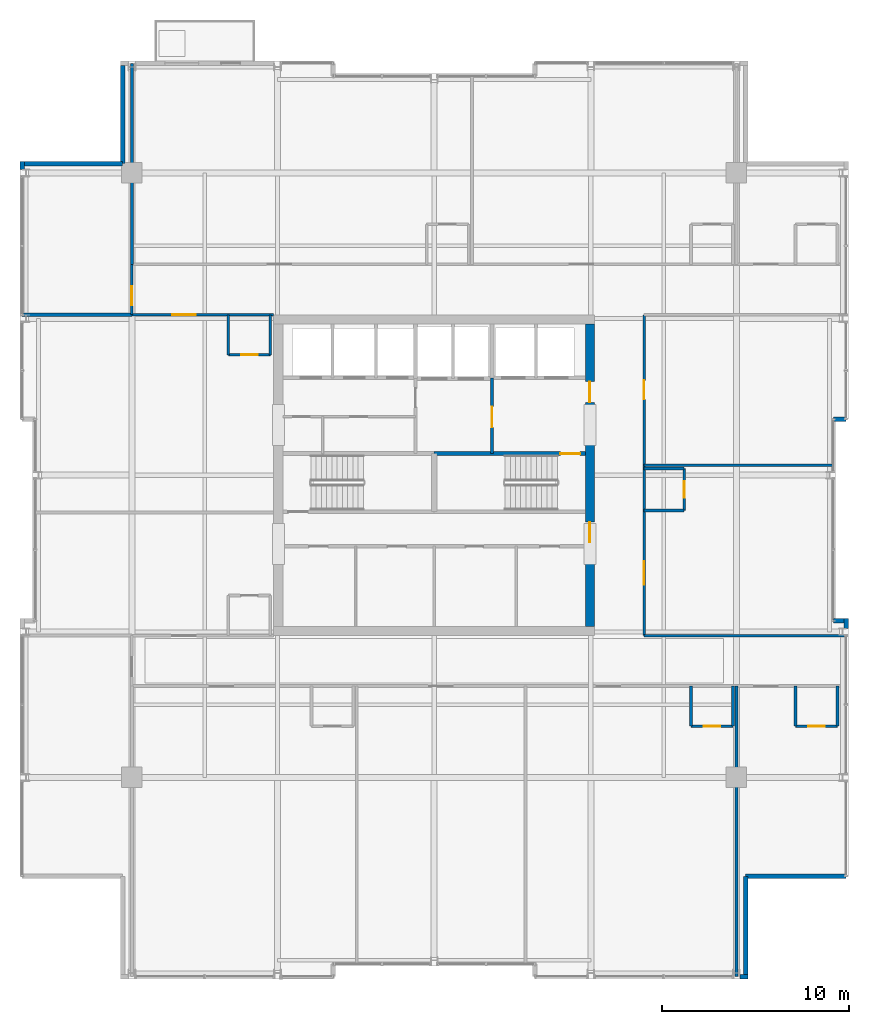
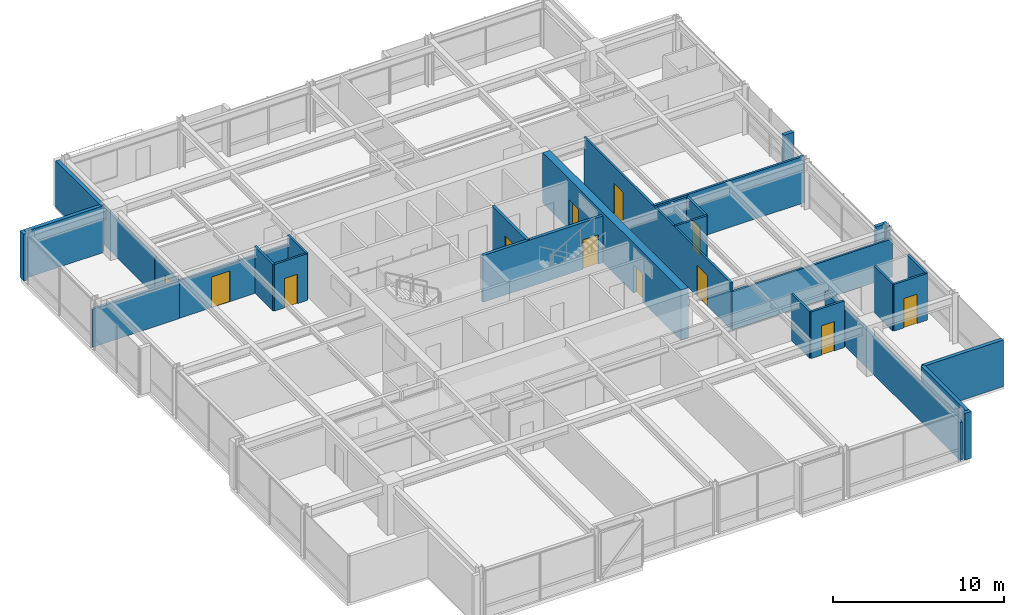
# One storey, part 27 of 32: 32 walls, 12 doors, 12 openings.
"""IFC4 building model written with IfcOpenShell, lengths in metres."""

from ifc_helpers import new_model, si_unit, direction, frame, frame_2d, origin, place, context, subcontext, project, spatial, rectangle, extrude, material, layer, layer_set, type_object, element, fill, save


model = new_model("IFC4")

# Units and contexts
model_context = context("Model", 3, precision=1e-05, world=origin(), true_north=direction((0.0, 1.0)))
body_context = subcontext(model_context, "Body", "Model", "MODEL_VIEW")
ifc_project = project(units=[si_unit("LENGTHUNIT", "METRE"), si_unit("AREAUNIT", "SQUARE_METRE"), si_unit("VOLUMEUNIT", "CUBIC_METRE"), si_unit("PLANEANGLEUNIT", "RADIAN"), si_unit("MASSUNIT", "GRAM", prefix="KILO")], contexts=[model_context])

# Site, building, storey
site_placement = place(None, origin())
site = spatial("IfcSite", under=ifc_project, at=site_placement, CompositionType="ELEMENT")
building_placement = place(site_placement, origin())
building = spatial("IfcBuilding", under=site, at=building_placement, Name="Drelvath Grand Hotel", CompositionType="ELEMENT")
storey_placement = place(building_placement, frame((0.0, 0.0, 223.10009765625)))
storey = spatial("IfcBuildingStorey", under=building, at=storey_placement, Name="L58", CompositionType="ELEMENT", Elevation=223.10009765625)

# Wall, opening, door
ifc_material_1 = material(Name="Concrete C40/50", Category="concrete")
ifc_layer_1 = layer(ifc_material_1, 0.199951171875)
ifc_layer_set_1 = layer_set([ifc_layer_1], Name="Concrete C40/50")
wall_type_1 = type_object("IfcWallType", Name="Core Shaft Fire Wall 200", PredefinedType="SOLIDWALL", material=ifc_layer_set_1)
wall_1_placement = place(storey_placement, frame((8.10009765625, 28.159912109375, 0.0), z_axis=(0.0, 0.0, 1.0), x_axis=(-1.0, 0.0, 0.0)))
wall_1 = element("IfcWall", 1, at=wall_1_placement, inside=storey, type_object=wall_type_1, Name="L58 Stair ST-2 North Wall", PredefinedType="SOLIDWALL", context=body_context, shape_type="SweptSolid", body=[
    extrude(rectangle(XDim=8.10009765625, YDim=0.199951171875, at=frame_2d((4.050048828125, 0.0))), origin(), (0.0, 0.0, 1.0), 3.33984375),
])
opening_1_placement = place(wall_1_placement, frame((0.280029296875, 0.0, 0.0)))
opening_1 = element("IfcOpeningElement", 2, at=opening_1_placement, cuts=wall_1, Name="Opening D-T4G2-002", PredefinedType="OPENING", context=body_context, shape_type="SweptSolid", body=[
    extrude(rectangle(XDim=1.050048828125, YDim=2.10009765625, at=frame_2d((0.52490234375, 1.050048828125))), frame((0.0, 0.10986328125, 0.0), z_axis=(0.0, -1.0, 0.0), x_axis=(1.0, 0.0, 0.0)), (0.0, 0.0, 1.0), 0.219970703125),
])
ifc_material_2 = material(Name="Painted Steel S275", Category="steel")
door_type_1 = type_object("IfcDoorType", Name="Tower Stairwell Fire Door 1050x2100", OperationType="NOTDEFINED", PredefinedType="DOOR", material=ifc_material_2)
door_1_placement = place(opening_1_placement, origin())
door_1 = element("IfcDoor", 3, at=door_1_placement, inside=storey, type_object=door_type_1, Name="L58 Exit Stair ST-2 Door", OperationType="SINGLE_SWING_LEFT", OverallHeight=2.10009765625, OverallWidth=1.050048828125, PredefinedType="DOOR", context=body_context, shape_type="SweptSolid", body=[
    extrude(rectangle(XDim=1.050048828125, YDim=2.10009765625, at=frame_2d((0.52490234375, 1.050048828125))), frame((0.0, 0.02490234375, 0.0), z_axis=(0.0, -1.0, 0.0), x_axis=(1.0, 0.0, 0.0)), (0.0, 0.0, 1.0), 0.050048828125),
])
fill(opening_1, door_1)

# Wall
ifc_material_3 = material(Name="Gypsum Fireboard Partition")
ifc_layer_2 = layer(ifc_material_3, 0.135009765625)
ifc_layer_set_2 = layer_set([ifc_layer_2], Name="Gypsum Fireboard Partition")
wall_type_2 = type_object("IfcWallType", Name="Corridor Fire Barrier Wall 135", PredefinedType="PARTITIONING", material=ifc_layer_set_2)
wall_2_placement = place(storey_placement, frame((11.25, 18.39990234375, 0.0), z_axis=(0.0, 0.0, 1.0), x_axis=(1.0, 0.0, 0.0)))
element("IfcWall", 4, at=wall_2_placement, inside=storey, type_object=wall_type_2, Name="L58 South Gallery Inner East Wall", PredefinedType="PARTITIONING", context=body_context, shape_type="SweptSolid", body=[
    extrude(rectangle(XDim=10.830078125, YDim=0.135009765625, at=frame_2d((5.4150390625, 0.0))), origin(), (0.0, 0.0, 1.0), 2.71728515625),
])

# Wall, opening, door
wall_3_placement = place(storey_placement, frame((-16.199951171875, 35.60009765625, 0.0), z_axis=(0.0, 0.0, 1.0), x_axis=(1.0, 0.0, 0.0)))
wall_3 = element("IfcWall", 5, at=wall_3_placement, inside=storey, type_object=wall_type_2, Name="L58 North Gallery Inner West Wall", PredefinedType="PARTITIONING", context=body_context, shape_type="SweptSolid", body=[
    extrude(rectangle(XDim=7.599853515625, YDim=0.135009765625, at=frame_2d((3.7998046875, 0.0))), origin(), (0.0, 0.0, 1.0), 2.71728515625),
])
opening_2_placement = place(wall_3_placement, frame((2.155029296875, 0.0, 0.0)))
opening_2 = element("IfcOpeningElement", 6, at=opening_2_placement, cuts=wall_3, Name="Opening D-T4G2-041", PredefinedType="OPENING", context=body_context, shape_type="SweptSolid", body=[
    extrude(rectangle(XDim=1.260009765625, YDim=2.199951171875, at=frame_2d((0.6298828125, 1.10009765625))), frame((0.0, 0.077392578125, 0.0), z_axis=(0.0, -1.0, 0.0), x_axis=(1.0, 0.0, 0.0)), (0.0, 0.0, 1.0), 0.155029296875),
])
ifc_material_4 = material(Name="Hardwood Walnut Timber", Category="wood")
door_type_2 = type_object("IfcDoorType", Name="Suite Entrance Fire Door 1260x2200", OperationType="NOTDEFINED", PredefinedType="DOOR", material=ifc_material_4)
door_2_placement = place(opening_2_placement, origin())
door_2 = element("IfcDoor", 7, at=door_2_placement, inside=storey, type_object=door_type_2, Name="L58 Diplomatic Suite Entry Door", OperationType="SINGLE_SWING_RIGHT", OverallHeight=2.199951171875, OverallWidth=1.260009765625, PredefinedType="DOOR", context=body_context, shape_type="SweptSolid", body=[
    extrude(rectangle(XDim=1.260009765625, YDim=2.199951171875, at=frame_2d((0.6298828125, 1.10009765625))), frame((0.0, 0.02490234375, 0.0), z_axis=(0.0, -1.0, 0.0), x_axis=(1.0, 0.0, 0.0)), (0.0, 0.0, 1.0), 0.050048828125),
])
fill(opening_2, door_2)

# Wall, openings, doors
wall_4_placement = place(storey_placement, frame((11.25, 18.39990234375, 0.0), z_axis=(0.0, 0.0, 1.0), x_axis=(0.0, 1.0, 0.0)))
wall_4 = element("IfcWall", 8, at=wall_4_placement, inside=storey, type_object=wall_type_2, Name="L58 East Gallery Link Wall", PredefinedType="PARTITIONING", context=body_context, shape_type="SweptSolid", body=[
    extrude(rectangle(XDim=17.2001953125, YDim=0.135009765625, at=frame_2d((8.60009765625, 0.0))), origin(), (0.0, 0.0, 1.0), 3.33984375),
])
opening_3_placement = place(wall_4_placement, frame((2.723876953125, 0.0, 0.0)))
opening_3 = element("IfcOpeningElement", 9, at=opening_3_placement, cuts=wall_4, Name="Opening D-T4G2-036", PredefinedType="OPENING", context=body_context, shape_type="SweptSolid", body=[
    extrude(rectangle(XDim=1.260009765625, YDim=2.199951171875, at=frame_2d((0.6298828125, 1.10009765625))), frame((0.0, 0.077392578125, 0.0), z_axis=(0.0, -1.0, 0.0), x_axis=(1.0, 0.0, 0.0)), (0.0, 0.0, 1.0), 0.155029296875),
])
opening_4_placement = place(wall_4_placement, frame((12.65869140625, 0.0, 0.0)))
opening_4 = element("IfcOpeningElement", 10, at=opening_4_placement, cuts=wall_4, Name="Opening D-T4G2-037", PredefinedType="OPENING", context=body_context, shape_type="SweptSolid", body=[
    extrude(rectangle(XDim=1.02001953125, YDim=2.14990234375, at=frame_2d((0.510009765625, 1.074951171875))), frame((0.0, 0.077392578125, 0.0), z_axis=(0.0, -1.0, 0.0), x_axis=(1.0, 0.0, 0.0)), (0.0, 0.0, 1.0), 0.155029296875),
])
door_type_3 = type_object("IfcDoorType", Name="Amenity Meeting Fire Door 1020x2150", OperationType="NOTDEFINED", PredefinedType="DOOR", material=ifc_material_4)
door_3_placement = place(opening_4_placement, origin())
door_3 = element("IfcDoor", 11, at=door_3_placement, inside=storey, type_object=door_type_3, Name="L58 Protocol Administration Office Entry Door", OperationType="SINGLE_SWING_RIGHT", OverallHeight=2.14990234375, OverallWidth=1.02001953125, PredefinedType="DOOR", context=body_context, shape_type="SweptSolid", body=[
    extrude(rectangle(XDim=1.02001953125, YDim=2.14990234375, at=frame_2d((0.510009765625, 1.074951171875))), frame((0.0, 0.02490234375, 0.0), z_axis=(0.0, -1.0, 0.0), x_axis=(1.0, 0.0, 0.0)), (0.0, 0.0, 1.0), 0.050048828125),
])
fill(opening_4, door_3)
door_4_placement = place(opening_3_placement, origin())
door_4 = element("IfcDoor", 12, at=door_4_placement, inside=storey, type_object=door_type_2, Name="L58 Diplomatic Suite Entry Door", OperationType="SINGLE_SWING_LEFT", OverallHeight=2.199951171875, OverallWidth=1.260009765625, PredefinedType="DOOR", context=body_context, shape_type="SweptSolid", body=[
    extrude(rectangle(XDim=1.260009765625, YDim=2.199951171875, at=frame_2d((0.6298828125, 1.10009765625))), frame((0.0, 0.02490234375, 0.0), z_axis=(0.0, -1.0, 0.0), x_axis=(1.0, 0.0, 0.0)), (0.0, 0.0, 1.0), 0.050048828125),
])
fill(opening_3, door_4)

# Wall, opening, door
wall_5_placement = place(storey_placement, frame((-16.199951171875, 35.60009765625, 0.0), z_axis=(0.0, 0.0, 1.0), x_axis=(0.0, 1.0, 0.0)))
wall_5 = element("IfcWall", 13, at=wall_5_placement, inside=storey, type_object=wall_type_2, Name="L58 North Gallery West End", PredefinedType="PARTITIONING", context=body_context, shape_type="SweptSolid", body=[
    extrude(rectangle(XDim=2.699951171875, YDim=0.135009765625, at=frame_2d((1.35009765625, 0.0))), origin(), (0.0, 0.0, 1.0), 2.713623046875),
])
opening_5_placement = place(wall_5_placement, frame((0.52001953125, 0.0, 0.0)))
opening_5 = element("IfcOpeningElement", 14, at=opening_5_placement, cuts=wall_5, Name="Opening D-T4G2-021", PredefinedType="OPENING", context=body_context, shape_type="SweptSolid", body=[
    extrude(rectangle(XDim=1.02001953125, YDim=2.14990234375, at=frame_2d((0.510009765625, 1.074951171875))), frame((0.0, 0.077392578125, 0.0), z_axis=(0.0, -1.0, 0.0), x_axis=(1.0, 0.0, 0.0)), (0.0, 0.0, 1.0), 0.155029296875),
])
door_5_placement = place(opening_5_placement, origin())
door_5 = element("IfcDoor", 15, at=door_5_placement, inside=storey, type_object=door_type_3, Name="L58 Corner Panorama Lounge Door", OperationType="SINGLE_SWING_RIGHT", OverallHeight=2.14990234375, OverallWidth=1.02001953125, PredefinedType="DOOR", context=body_context, shape_type="SweptSolid", body=[
    extrude(rectangle(XDim=1.02001953125, YDim=2.14990234375, at=frame_2d((0.510009765625, 1.074951171875))), frame((0.0, 0.02490234375, 0.0), z_axis=(0.0, -1.0, 0.0), x_axis=(1.0, 0.0, 0.0)), (0.0, 0.0, 1.0), 0.050048828125),
])
fill(opening_5, door_5)

# Walls
ifc_material_5 = material(Name="Moisture-Resistant Gypsum Board")
ifc_layer_3 = layer(ifc_material_5, 0.139892578125)
ifc_layer_set_3 = layer_set([ifc_layer_3], Name="Moisture-Resistant Gypsum Board")
wall_type_3 = type_object("IfcWallType", Name="En-Suite Plumbing Wall 140", PredefinedType="PLUMBINGWALL", material=ifc_layer_set_3)
for number, where, z_axis, x_axis, name in (
    (16, (19.3701171875, 15.699951171875, 0.0), (0.0, 0.0, 1.0), (0.0, -1.0, 0.0), "L58 En-Suite Left Wall"),
    (17, (21.6201171875, 15.699951171875, 0.0), (0.0, 0.0, 1.0), (0.0, -1.0, 0.0), "L58 En-Suite Right Wall"),
):
    element("IfcWall", number, at=place(storey_placement, frame(where, z_axis=z_axis, x_axis=x_axis)), inside=storey, type_object=wall_type_3, Name=name, PredefinedType="PLUMBINGWALL", context=body_context, shape_type="SweptSolid", body=[
        extrude(rectangle(XDim=2.14990234375, YDim=0.139892578125, at=frame_2d((1.074951171875, 0.0))), origin(), (0.0, 0.0, 1.0), 3.33984375),
    ])

# Wall, opening, door
wall_6_placement = place(storey_placement, frame((19.3701171875, 13.550048828125, 0.0), z_axis=(0.0, 0.0, 1.0), x_axis=(1.0, 0.0, 0.0)))
wall_6 = element("IfcWall", 18, at=wall_6_placement, inside=storey, type_object=wall_type_3, Name="L58 En-Suite Front Wall", PredefinedType="PLUMBINGWALL", context=body_context, shape_type="SweptSolid", body=[
    extrude(rectangle(XDim=2.25, YDim=0.139892578125, at=frame_2d((1.125, 0.0))), origin(), (0.0, 0.0, 1.0), 3.33984375),
])
opening_6_placement = place(wall_6_placement, frame((0.68505859375, 0.0, 0.0)))
opening_6 = element("IfcOpeningElement", 19, at=opening_6_placement, cuts=wall_6, Name="Opening D-T4G2-022", PredefinedType="OPENING", context=body_context, shape_type="SweptSolid", body=[
    extrude(rectangle(XDim=0.8798828125, YDim=2.10009765625, at=frame_2d((0.43994140625, 1.050048828125))), frame((0.0, 0.079833984375, 0.0), z_axis=(0.0, -1.0, 0.0), x_axis=(1.0, 0.0, 0.0)), (0.0, 0.0, 1.0), 0.159912109375),
])
door_type_4 = type_object("IfcDoorType", Name="En-Suite Bathroom Door 880x2100", OperationType="NOTDEFINED", PredefinedType="DOOR", material=ifc_material_4)
door_6_placement = place(opening_6_placement, origin())
door_6 = element("IfcDoor", 20, at=door_6_placement, inside=storey, type_object=door_type_4, Name="L58 En-Suite Bathroom Door", OperationType="SINGLE_SWING_LEFT", OverallHeight=2.10009765625, OverallWidth=0.8798828125, PredefinedType="DOOR", context=body_context, shape_type="SweptSolid", body=[
    extrude(rectangle(XDim=0.8798828125, YDim=2.10009765625, at=frame_2d((0.43994140625, 1.050048828125))), frame((0.0, 0.02490234375, 0.0), z_axis=(0.0, -1.0, 0.0), x_axis=(1.0, 0.0, 0.0)), (0.0, 0.0, 1.0), 0.050048828125),
])
fill(opening_6, door_6)

# Walls
wall_7_placement = place(storey_placement, frame((13.77001953125, 15.699951171875, 0.0), z_axis=(0.0, 0.0, 1.0), x_axis=(0.0, -1.0, 0.0)))
element("IfcWall", 21, at=wall_7_placement, inside=storey, type_object=wall_type_3, Name="L58 En-Suite Left Wall", PredefinedType="PLUMBINGWALL", context=body_context, shape_type="SweptSolid", body=[
    extrude(rectangle(XDim=2.14990234375, YDim=0.139892578125, at=frame_2d((1.074951171875, 0.0))), origin(), (0.0, 0.0, 1.0), 3.33984375),
])
wall_8_placement = place(storey_placement, frame((16.02001953125, 15.699951171875, 0.0), z_axis=(0.0, 0.0, 1.0), x_axis=(0.0, -1.0, 0.0)))
element("IfcWall", 22, at=wall_8_placement, inside=storey, type_object=wall_type_3, Name="L58 En-Suite Right Wall", PredefinedType="PLUMBINGWALL", context=body_context, shape_type="SweptSolid", body=[
    extrude(rectangle(XDim=2.14990234375, YDim=0.139892578125, at=frame_2d((1.074951171875, 0.0))), origin(), (0.0, 0.0, 1.0), 2.713623046875),
])

# Wall, opening, door
wall_9_placement = place(storey_placement, frame((13.77001953125, 13.550048828125, 0.0), z_axis=(0.0, 0.0, 1.0), x_axis=(1.0, 0.0, 0.0)))
wall_9 = element("IfcWall", 23, at=wall_9_placement, inside=storey, type_object=wall_type_3, Name="L58 En-Suite Front Wall", PredefinedType="PLUMBINGWALL", context=body_context, shape_type="SweptSolid", body=[
    extrude(rectangle(XDim=2.25, YDim=0.139892578125, at=frame_2d((1.125, 0.0))), origin(), (0.0, 0.0, 1.0), 3.33984375),
])
opening_7_placement = place(wall_9_placement, frame((0.68505859375, 0.0, 0.0)))
opening_7 = element("IfcOpeningElement", 24, at=opening_7_placement, cuts=wall_9, Name="Opening D-T4G2-029", PredefinedType="OPENING", context=body_context, shape_type="SweptSolid", body=[
    extrude(rectangle(XDim=0.8798828125, YDim=2.10009765625, at=frame_2d((0.43994140625, 1.050048828125))), frame((0.0, 0.079833984375, 0.0), z_axis=(0.0, -1.0, 0.0), x_axis=(1.0, 0.0, 0.0)), (0.0, 0.0, 1.0), 0.159912109375),
])
door_7_placement = place(opening_7_placement, origin())
door_7 = element("IfcDoor", 25, at=door_7_placement, inside=storey, type_object=door_type_4, Name="L58 En-Suite Bathroom Door", OperationType="SINGLE_SWING_RIGHT", OverallHeight=2.10009765625, OverallWidth=0.8798828125, PredefinedType="DOOR", context=body_context, shape_type="SweptSolid", body=[
    extrude(rectangle(XDim=0.8798828125, YDim=2.10009765625, at=frame_2d((0.43994140625, 1.050048828125))), frame((0.0, 0.02490234375, 0.0), z_axis=(0.0, -1.0, 0.0), x_axis=(1.0, 0.0, 0.0)), (0.0, 0.0, 1.0), 0.050048828125),
])
fill(opening_7, door_7)

# Walls
for number, where, z_axis, x_axis, name in (
    (26, (11.25, 25.107421875, 0.0), (0.0, 0.0, 1.0), (1.0, 0.0, 0.0), "L58 En-Suite Left Wall"),
    (27, (11.25, 27.357421875, 0.0), (0.0, 0.0, 1.0), (1.0, 0.0, 0.0), "L58 En-Suite Right Wall"),
):
    element("IfcWall", number, at=place(storey_placement, frame(where, z_axis=z_axis, x_axis=x_axis)), inside=storey, type_object=wall_type_3, Name=name, PredefinedType="PLUMBINGWALL", context=body_context, shape_type="SweptSolid", body=[
        extrude(rectangle(XDim=2.14990234375, YDim=0.139892578125, at=frame_2d((1.074951171875, 0.0))), origin(), (0.0, 0.0, 1.0), 3.33984375),
    ])

# Wall, opening, door
wall_10_placement = place(storey_placement, frame((13.39990234375, 25.107421875, 0.0), z_axis=(0.0, 0.0, 1.0), x_axis=(0.0, 1.0, 0.0)))
wall_10 = element("IfcWall", 28, at=wall_10_placement, inside=storey, type_object=wall_type_3, Name="L58 En-Suite Front Wall", PredefinedType="PLUMBINGWALL", context=body_context, shape_type="SweptSolid", body=[
    extrude(rectangle(XDim=2.25, YDim=0.139892578125, at=frame_2d((1.125, 0.0))), origin(), (0.0, 0.0, 1.0), 3.33984375),
])
opening_8_placement = place(wall_10_placement, frame((0.68505859375, 0.0, 0.0)))
opening_8 = element("IfcOpeningElement", 29, at=opening_8_placement, cuts=wall_10, Name="Opening D-T4G2-035", PredefinedType="OPENING", context=body_context, shape_type="SweptSolid", body=[
    extrude(rectangle(XDim=0.8798828125, YDim=2.10009765625, at=frame_2d((0.43994140625, 1.050048828125))), frame((0.0, 0.079833984375, 0.0), z_axis=(0.0, -1.0, 0.0), x_axis=(1.0, 0.0, 0.0)), (0.0, 0.0, 1.0), 0.159912109375),
])
door_8_placement = place(opening_8_placement, origin())
door_8 = element("IfcDoor", 30, at=door_8_placement, inside=storey, type_object=door_type_4, Name="L58 En-Suite Bathroom Door", OperationType="SINGLE_SWING_RIGHT", OverallHeight=2.10009765625, OverallWidth=0.8798828125, PredefinedType="DOOR", context=body_context, shape_type="SweptSolid", body=[
    extrude(rectangle(XDim=0.8798828125, YDim=2.10009765625, at=frame_2d((0.43994140625, 1.050048828125))), frame((0.0, 0.02490234375, 0.0), z_axis=(0.0, -1.0, 0.0), x_axis=(1.0, 0.0, 0.0)), (0.0, 0.0, 1.0), 0.050048828125),
])
fill(opening_8, door_8)

# Walls
for number, where, z_axis, x_axis, name in (
    (31, (-11.030029296875, 35.60009765625, 0.0), (0.0, 0.0, 1.0), (0.0, -1.0, 0.0), "L58 En-Suite Left Wall"),
    (32, (-8.780029296875, 35.60009765625, 0.0), (0.0, 0.0, 1.0), (0.0, -1.0, 0.0), "L58 En-Suite Right Wall"),
):
    element("IfcWall", number, at=place(storey_placement, frame(where, z_axis=z_axis, x_axis=x_axis)), inside=storey, type_object=wall_type_3, Name=name, PredefinedType="PLUMBINGWALL", context=body_context, shape_type="SweptSolid", body=[
        extrude(rectangle(XDim=2.150146484375, YDim=0.139892578125, at=frame_2d((1.0751953125, 0.0))), origin(), (0.0, 0.0, 1.0), 3.33984375),
    ])

# Wall, opening, door
wall_11_placement = place(storey_placement, frame((-11.030029296875, 33.449951171875, 0.0), z_axis=(0.0, 0.0, 1.0), x_axis=(1.0, 0.0, 0.0)))
wall_11 = element("IfcWall", 33, at=wall_11_placement, inside=storey, type_object=wall_type_3, Name="L58 En-Suite Front Wall", PredefinedType="PLUMBINGWALL", context=body_context, shape_type="SweptSolid", body=[
    extrude(rectangle(XDim=2.25, YDim=0.139892578125, at=frame_2d((1.125, 0.0))), origin(), (0.0, 0.0, 1.0), 3.33984375),
])
opening_9_placement = place(wall_11_placement, frame((0.68505859375, 0.0, 0.0)))
opening_9 = element("IfcOpeningElement", 34, at=opening_9_placement, cuts=wall_11, Name="Opening D-T4G2-040", PredefinedType="OPENING", context=body_context, shape_type="SweptSolid", body=[
    extrude(rectangle(XDim=0.8798828125, YDim=2.10009765625, at=frame_2d((0.43994140625, 1.050048828125))), frame((0.0, 0.079833984375, 0.0), z_axis=(0.0, -1.0, 0.0), x_axis=(1.0, 0.0, 0.0)), (0.0, 0.0, 1.0), 0.159912109375),
])
door_9_placement = place(opening_9_placement, origin())
door_9 = element("IfcDoor", 35, at=door_9_placement, inside=storey, type_object=door_type_4, Name="L58 En-Suite Bathroom Door", OperationType="SINGLE_SWING_LEFT", OverallHeight=2.10009765625, OverallWidth=0.8798828125, PredefinedType="DOOR", context=body_context, shape_type="SweptSolid", body=[
    extrude(rectangle(XDim=0.8798828125, YDim=2.10009765625, at=frame_2d((0.43994140625, 1.050048828125))), frame((0.0, 0.02490234375, 0.0), z_axis=(0.0, -1.0, 0.0), x_axis=(1.0, 0.0, 0.0)), (0.0, 0.0, 1.0), 0.050048828125),
])
fill(opening_9, door_9)

ifc_layer_4 = layer(ifc_material_3, 0.179931640625)
ifc_layer_set_4 = layer_set([ifc_layer_4], Name="Gypsum Fireboard Partition")
wall_type_4 = type_object("IfcWallType", Name="FSAE Smoke Lobby Fire Wall 180", PredefinedType="SOLIDWALL", material=ifc_layer_set_4)
wall_12_placement = place(storey_placement, frame((3.10009765625, 28.159912109375, 0.0), z_axis=(0.0, 0.0, 1.0), x_axis=(0.0, 1.0, 0.0)))
wall_12 = element("IfcWall", 36, at=wall_12_placement, inside=storey, type_object=wall_type_4, Name="L58 FSAE Smoke Lobby West Wall", PredefinedType="SOLIDWALL", context=body_context, shape_type="SweptSolid", body=[
    extrude(rectangle(XDim=4.06005859375, YDim=0.179931640625, at=frame_2d((2.030029296875, 0.0))), origin(), (0.0, 0.0, 1.0), 3.33984375),
])
opening_10_placement = place(wall_12_placement, frame((1.39990234375, 0.0, 0.0)))
opening_10 = element("IfcOpeningElement", 37, at=opening_10_placement, cuts=wall_12, Name="Opening D-T4G2-005", PredefinedType="OPENING", context=body_context, shape_type="SweptSolid", body=[
    extrude(rectangle(XDim=1.1201171875, YDim=2.10009765625, at=frame_2d((0.56005859375, 1.050048828125))), frame((0.0, 0.099853515625, 0.0), z_axis=(0.0, -1.0, 0.0), x_axis=(1.0, 0.0, 0.0)), (0.0, 0.0, 1.0), 0.199951171875),
])
door_type_5 = type_object("IfcDoorType", Name="FSAE Smoke Lobby Fire Door 1120x2100", OperationType="NOTDEFINED", PredefinedType="DOOR", material=ifc_material_2)
door_10_placement = place(opening_10_placement, origin())
door_10 = element("IfcDoor", 38, at=door_10_placement, inside=storey, type_object=door_type_5, Name="L58 FSAE Lobby Service Vestibule Door", OperationType="SINGLE_SWING_RIGHT", OverallHeight=2.10009765625, OverallWidth=1.1201171875, PredefinedType="DOOR", context=body_context, shape_type="SweptSolid", body=[
    extrude(rectangle(XDim=1.1201171875, YDim=2.10009765625, at=frame_2d((0.56005859375, 1.050048828125))), frame((0.0, 0.02490234375, 0.0), z_axis=(0.0, -1.0, 0.0), x_axis=(1.0, 0.0, 0.0)), (0.0, 0.0, 1.0), 0.050048828125),
])
fill(opening_10, door_10)

# Walls
ifc_material_6 = material(Name="Gypsum Acoustic Partition")
ifc_layer_5 = layer(ifc_material_6, 0.14990234375)
ifc_layer_set_5 = layer_set([ifc_layer_5], Name="Gypsum Acoustic Partition")
wall_type_5 = type_object("IfcWallType", Name="Guestroom Demising Wall 150", PredefinedType="PARTITIONING", material=ifc_layer_set_5)
wall_13_placement = place(storey_placement, frame((11.25, 27.53759765625, 0.0), z_axis=(0.0, 0.0, 1.0), x_axis=(1.0, 0.0, 0.0)))
element("IfcWall", 39, at=wall_13_placement, inside=storey, type_object=wall_type_5, Name="L58 East Demising 1", PredefinedType="PARTITIONING", context=body_context, shape_type="SweptSolid", body=[
    extrude(rectangle(XDim=10.14990234375, YDim=0.14990234375, at=frame_2d((5.074951171875, 0.0))), origin(), (0.0, 0.0, 1.0), 3.33984375),
])
ifc_layer_6 = layer(ifc_material_6, 0.1650390625)
ifc_layer_set_6 = layer_set([ifc_layer_6], Name="Gypsum Acoustic Partition")
wall_type_6 = type_object("IfcWallType", Name="Suite Demising Wall 165", PredefinedType="PARTITIONING", material=ifc_layer_set_6)
wall_14_placement = place(storey_placement, frame((16.199951171875, 0.1201171875, 0.0), z_axis=(0.0, 0.0, 1.0), x_axis=(0.0, 1.0, 0.0)))
element("IfcWall", 40, at=wall_14_placement, inside=storey, type_object=wall_type_6, Name="L58 SE Suite Wall", PredefinedType="PARTITIONING", context=body_context, shape_type="SweptSolid", body=[
    extrude(rectangle(XDim=15.579833984375, YDim=0.1650390625, at=frame_2d((7.7900390625, 0.0))), origin(), (0.0, 0.0, 1.0), 2.713623046875),
])
wall_15_placement = place(storey_placement, frame((-16.199951171875, 38.300048828125, 0.0), z_axis=(0.0, 0.0, 1.0), x_axis=(0.0, 1.0, 0.0)))
element("IfcWall", 41, at=wall_15_placement, inside=storey, type_object=wall_type_6, Name="L58 NW Suite Wall", PredefinedType="PARTITIONING", context=body_context, shape_type="SweptSolid", body=[
    extrude(rectangle(XDim=10.780029296875, YDim=0.1650390625, at=frame_2d((5.39013671875, 0.0))), origin(), (0.0, 0.0, 1.0), 2.713623046875),
])
wall_16_placement = place(storey_placement, frame((-22.080078125, 35.60009765625, 0.0), z_axis=(0.0, 0.0, 1.0), x_axis=(1.0, 0.0, 0.0)))
element("IfcWall", 42, at=wall_16_placement, inside=storey, type_object=wall_type_6, Name="L58 NW Corner South Wall", PredefinedType="PARTITIONING", context=body_context, shape_type="SweptSolid", body=[
    extrude(rectangle(XDim=5.880126953125, YDim=0.1650390625, at=frame_2d((2.93994140625, 0.0))), origin(), (0.0, 0.0, 1.0), 2.713623046875),
])
ifc_material_7 = material(Name="Pale-Metal Insulated Aluminium Spandrel Assembly", Category="aluminium")
ifc_layer_7 = layer(ifc_material_7, 0.239990234375)
ifc_layer_set_7 = layer_set([ifc_layer_7], Name="Pale-Metal Insulated Aluminium Spandrel Assembly")
wall_type_7 = type_object("IfcWallType", Name="Tower Insulated Metal Spandrel Closure Wall 240", PredefinedType="STANDARD", material=ifc_layer_set_7)
wall_17_placement = place(storey_placement, frame((-22.080078125, 43.38525390625, 0.0), z_axis=(0.0, 0.0, 1.0), x_axis=(0.0, 1.0, 0.0)))
element("IfcWall", 43, at=wall_17_placement, inside=storey, type_object=wall_type_7, Name="L58 Corner Pier Spandrel Wall WN3", PredefinedType="STANDARD", context=body_context, shape_type="SweptSolid", body=[
    extrude(rectangle(XDim=0.434814453125, YDim=0.239990234375, at=frame_2d((0.21728515625, 0.0))), origin(), (0.0, 0.0, 1.0), 3.33984375),
])
wall_18_placement = place(storey_placement, frame((22.080078125, 19.320068359375, 0.0), z_axis=(0.0, 0.0, 1.0), x_axis=(0.0, -1.0, 0.0)))
element("IfcWall", 44, at=wall_18_placement, inside=storey, type_object=wall_type_7, Name="L58 Corner Pier Spandrel Wall ES3", PredefinedType="STANDARD", context=body_context, shape_type="SweptSolid", body=[
    extrude(rectangle(XDim=0.53466796875, YDim=0.239990234375, at=frame_2d((0.267333984375, 0.0))), origin(), (0.0, 0.0, 1.0), 3.33984375),
])
wall_19_placement = place(storey_placement, frame((16.820068359375, 0.1201171875, 0.0), z_axis=(0.0, 0.0, 1.0), x_axis=(-1.0, 0.0, 0.0)))
element("IfcWall", 45, at=wall_19_placement, inside=storey, type_object=wall_type_7, Name="L58 Corner Pier Spandrel Wall SE3", PredefinedType="STANDARD", context=body_context, shape_type="SweptSolid", body=[
    extrude(rectangle(XDim=0.434814453125, YDim=0.239990234375, at=frame_2d((0.21728515625, 0.0))), origin(), (0.0, 0.0, 1.0), 3.33984375),
])
for number, where, z_axis, x_axis, name in (
    (46, (-21.9599609375, 43.699951171875, 0.0), (0.0, 0.0, 1.0), (1.0, 0.0, 0.0), "L58 Notched Corner Return Spandrel Wall CNW1"),
    (47, (-16.699951171875, 43.699951171875, 0.0), (0.0, 0.0, 1.0), (0.0, 1.0, 0.0), "L58 Notched Corner Return Spandrel Wall CNW2"),
):
    element("IfcWall", number, at=place(storey_placement, frame(where, z_axis=z_axis, x_axis=x_axis)), inside=storey, type_object=wall_type_7, Name=name, PredefinedType="STANDARD", context=body_context, shape_type="SweptSolid", body=[
        extrude(rectangle(XDim=5.260009765625, YDim=0.239990234375, at=frame_2d((2.6298828125, 0.0))), origin(), (0.0, 0.0, 1.0), 3.33984375),
    ])
wall_20_placement = place(storey_placement, frame((22.080078125, 5.5, 0.0), z_axis=(0.0, 0.0, 1.0), x_axis=(-1.0, 0.0, 0.0)))
element("IfcWall", 48, at=wall_20_placement, inside=storey, type_object=wall_type_7, Name="L58 Notched Corner Return Spandrel Wall CSE1", PredefinedType="STANDARD", context=body_context, shape_type="SweptSolid", body=[
    extrude(rectangle(XDim=5.380126953125, YDim=0.239990234375, at=frame_2d((2.68994140625, 0.0))), origin(), (0.0, 0.0, 1.0), 3.33984375),
])
wall_21_placement = place(storey_placement, frame((16.699951171875, 5.5, 0.0), z_axis=(0.0, 0.0, 1.0), x_axis=(0.0, -1.0, 0.0)))
element("IfcWall", 49, at=wall_21_placement, inside=storey, type_object=wall_type_7, Name="L58 Notched Corner Return Spandrel Wall CSE2", PredefinedType="STANDARD", context=body_context, shape_type="SweptSolid", body=[
    extrude(rectangle(XDim=5.260009765625, YDim=0.239990234375, at=frame_2d((2.6298828125, 0.0))), origin(), (0.0, 0.0, 1.0), 3.33984375),
])
wall_22_placement = place(storey_placement, frame((22.080078125, 30.0, 0.0), z_axis=(0.0, 0.0, 1.0), x_axis=(-1.0, 0.0, 0.0)))
element("IfcWall", 50, at=wall_22_placement, inside=storey, type_object=wall_type_7, Name="L58 Notched Corner Return Spandrel Wall RE1", PredefinedType="STANDARD", context=body_context, shape_type="SweptSolid", body=[
    extrude(rectangle(XDim=0.68017578125, YDim=0.239990234375, at=frame_2d((0.340087890625, 0.0))), origin(), (0.0, 0.0, 1.0), 3.33984375),
])
wall_23_placement = place(storey_placement, frame((21.39990234375, 19.199951171875, 0.0), z_axis=(0.0, 0.0, 1.0), x_axis=(1.0, 0.0, 0.0)))
element("IfcWall", 51, at=wall_23_placement, inside=storey, type_object=wall_type_7, Name="L58 Notched Corner Return Spandrel Wall RE2", PredefinedType="STANDARD", context=body_context, shape_type="SweptSolid", body=[
    extrude(rectangle(XDim=0.56005859375, YDim=0.239990234375, at=frame_2d((0.280029296875, 0.0))), origin(), (0.0, 0.0, 1.0), 3.33984375),
])

# Wall, openings, doors
ifc_material_8 = material(Name="Concrete f'c 55 MPa", Category="concrete")
ifc_layer_8 = layer(ifc_material_8, 0.5)
ifc_layer_set_8 = layer_set([ifc_layer_8], Name="Concrete f'c 55 MPa")
wall_type_8 = type_object("IfcWallType", Name="Upper Core RC Shear Wall 500", PredefinedType="SHEAR", material=ifc_layer_set_8)
wall_24_placement = place(storey_placement, frame((8.35009765625, 35.10009765625, 0.0), z_axis=(0.0, 0.0, 1.0), x_axis=(0.0, -1.0, 0.0)))
wall_24 = element("IfcWall", 52, at=wall_24_placement, inside=storey, type_object=wall_type_8, Name="L58 Central Core Shear Wall E", PredefinedType="SHEAR", context=body_context, shape_type="SweptSolid", body=[
    extrude(rectangle(XDim=16.2001953125, YDim=0.5, at=frame_2d((8.10009765625, 0.0))), origin(), (0.0, 0.0, 1.0), 3.599853515625),
])
opening_11_placement = place(wall_24_placement, frame((3.080078125, 0.0, 0.0)))
opening_11 = element("IfcOpeningElement", 53, at=opening_11_placement, cuts=wall_24, Name="Opening D-T4G2-006", PredefinedType="OPENING", context=body_context, shape_type="SweptSolid", body=[
    extrude(rectangle(XDim=1.1201171875, YDim=2.10009765625, at=frame_2d((0.56005859375, 1.050048828125))), frame((0.0, 0.260009765625, 0.0), z_axis=(0.0, -1.0, 0.0), x_axis=(1.0, 0.0, 0.0)), (0.0, 0.0, 1.0), 0.52001953125),
])
opening_12_placement = place(wall_24_placement, frame((10.6201171875, 0.0, 0.0)))
opening_12 = element("IfcOpeningElement", 54, at=opening_12_placement, cuts=wall_24, Name="Opening D-T4G2-015", PredefinedType="OPENING", context=body_context, shape_type="SweptSolid", body=[
    extrude(rectangle(XDim=1.080078125, YDim=2.0400390625, at=frame_2d((0.5400390625, 1.02001953125))), frame((0.0, 0.260009765625, 0.0), z_axis=(0.0, -1.0, 0.0), x_axis=(1.0, 0.0, 0.0)), (0.0, 0.0, 1.0), 0.52001953125),
])
door_type_6 = type_object("IfcDoorType", Name="Core Corridor Fire Door 1080x2100", OperationType="NOTDEFINED", PredefinedType="DOOR", material=ifc_material_2)
door_11_placement = place(opening_12_placement, origin())
door_11 = element("IfcDoor", 55, at=door_11_placement, inside=storey, type_object=door_type_6, Name="L58 Core Passage East Door", OperationType="SINGLE_SWING_RIGHT", OverallHeight=2.0400390625, OverallWidth=1.080078125, PredefinedType="DOOR", context=body_context, shape_type="SweptSolid", body=[
    extrude(rectangle(XDim=1.080078125, YDim=2.0400390625, at=frame_2d((0.5400390625, 1.02001953125))), frame((0.0, 0.02490234375, 0.0), z_axis=(0.0, -1.0, 0.0), x_axis=(1.0, 0.0, 0.0)), (0.0, 0.0, 1.0), 0.050048828125),
])
fill(opening_12, door_11)
door_12_placement = place(opening_11_placement, origin())
door_12 = element("IfcDoor", 56, at=door_12_placement, inside=storey, type_object=door_type_5, Name="L58 FSAE Lobby East Corridor Door", OperationType="SINGLE_SWING_LEFT", OverallHeight=2.10009765625, OverallWidth=1.1201171875, PredefinedType="DOOR", context=body_context, shape_type="SweptSolid", body=[
    extrude(rectangle(XDim=1.1201171875, YDim=2.10009765625, at=frame_2d((0.56005859375, 1.050048828125))), frame((0.0, 0.02490234375, 0.0), z_axis=(0.0, -1.0, 0.0), x_axis=(1.0, 0.0, 0.0)), (0.0, 0.0, 1.0), 0.050048828125),
])
fill(opening_11, door_12)

save(model, "model.ifc")
